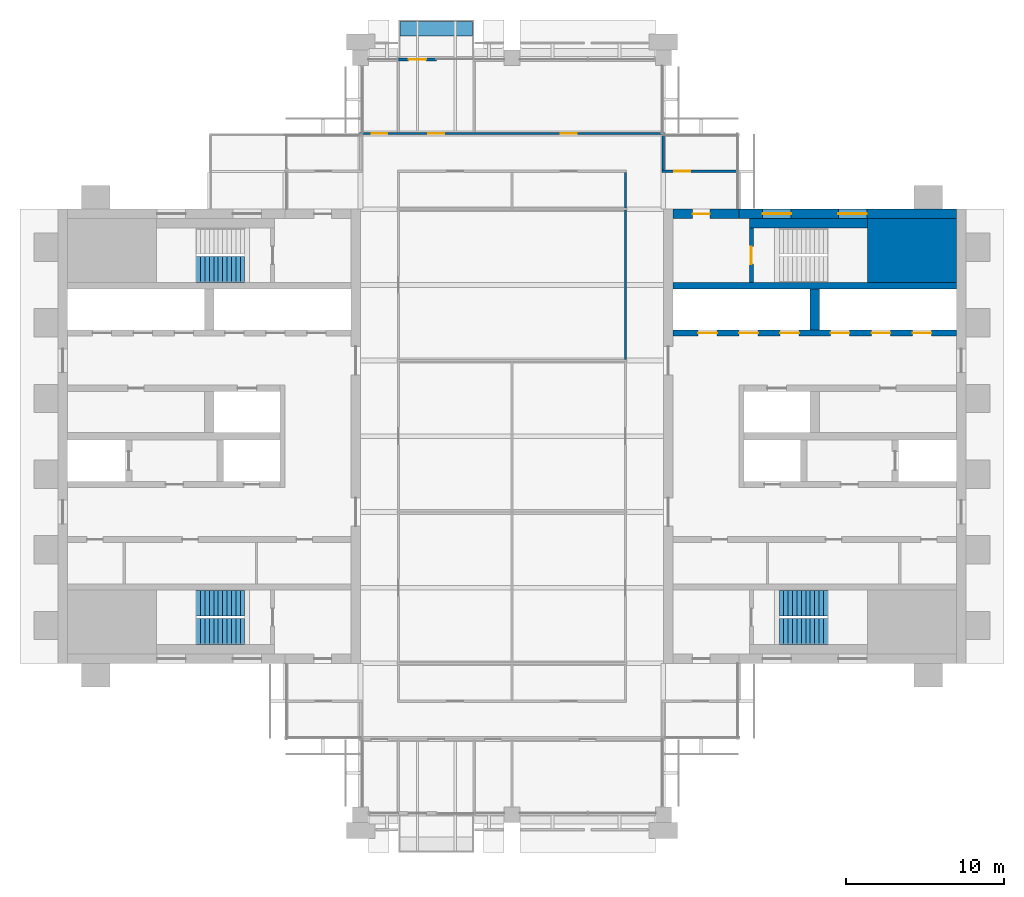
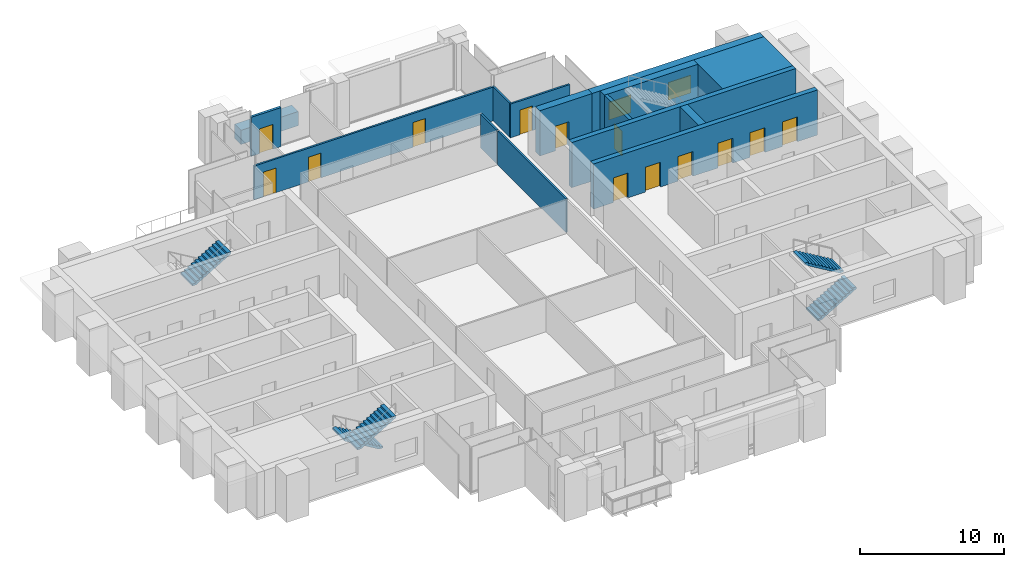
# One storey, part 11 of 14: 15 walls, 13 doors, 5 stair flights, 2 windows, 15 openings, 3 elements without a shape of their own.
"""IFC4 building model written with IfcOpenShell, lengths in metres."""

from ifc_helpers import new_model, si_unit, direction, frame, frame_2d, origin, place, context, subcontext, project, spatial, polyline, rectangle, outline, extrude, material, layer, layer_set, type_object, element, fill, aggregate, save


model = new_model("IFC4")

# Units and contexts
model_context = context("Model", 3, precision=1e-05, world=origin(), true_north=direction((0.0, 1.0)))
body_context = subcontext(model_context, "Body", "Model", "MODEL_VIEW")
ifc_project = project(units=[si_unit("LENGTHUNIT", "METRE"), si_unit("AREAUNIT", "SQUARE_METRE"), si_unit("VOLUMEUNIT", "CUBIC_METRE"), si_unit("PLANEANGLEUNIT", "RADIAN"), si_unit("MASSUNIT", "GRAM", prefix="KILO")], contexts=[model_context])

# Site, building, storey
site_placement = place(None, origin())
site = spatial("IfcSite", under=ifc_project, at=site_placement, CompositionType="ELEMENT")
building_placement = place(site_placement, origin())
building = spatial("IfcBuilding", under=site, at=building_placement, Name="Baori Bourse Tower", CompositionType="ELEMENT")
storey_placement = place(building_placement, frame((0.0, 0.0, 290.300048828125)))
storey = spatial("IfcBuildingStorey", under=building, at=storey_placement, Name="L63", CompositionType="ELEMENT", Elevation=290.300048828125)

# Wall
ifc_material_1 = material(Name="Concrete f'c 40 MPa", Category="concrete")
wall_type_1 = type_object("IfcWallType", Name="Core corner block f'c 40", PredefinedType="SHEAR", material=ifc_material_1)
wall_1_placement = place(storey_placement, frame((51.35009765625, 35.77490234375, 0.0), z_axis=(0.0, 0.0, 1.0), x_axis=(1.0, 0.0, 0.0)))
element("IfcWall", 1, at=wall_1_placement, inside=storey, type_object=wall_type_1, Name="Core wall E22", PredefinedType="SHEAR", context=body_context, shape_type="SweptSolid", body=[
    extrude(rectangle(XDim=5.64990234375, YDim=4.050048828125, at=frame_2d((2.824951171875, 0.0))), origin(), (0.0, 0.0, 1.0), 3.83984375),
])

# Wall, openings, windows
ifc_material_2 = material(Name="Concrete f'c 40 MPa", Category="concrete")
ifc_layer_1 = layer(ifc_material_2, 0.60009765625)
ifc_layer_set_1 = layer_set([ifc_layer_1], Name="Core wall 600 f'c 40")
wall_type_2 = type_object("IfcWallType", Name="Core wall 600 f'c 40", PredefinedType="SHEAR", material=ifc_layer_set_1)
wall_2_placement = place(storey_placement, frame((43.199951171875, 38.10009765625, 0.0), z_axis=(0.0, 0.0, 1.0), x_axis=(1.0, 0.0, 0.0)))
wall_2 = element("IfcWall", 2, at=wall_2_placement, inside=storey, type_object=wall_type_2, Name="Core wall E25", PredefinedType="SHEAR", context=body_context, shape_type="SweptSolid", body=[
    extrude(rectangle(XDim=13.800048828125, YDim=0.60009765625, at=frame_2d((6.89990234375, 0.0))), origin(), (0.0, 0.0, 1.0), 3.83984375),
])
opening_1_placement = place(wall_2_placement, frame((6.300048828125, 0.0, 0.89990234375)))
opening_1 = element("IfcOpeningElement", 3, at=opening_1_placement, cuts=wall_2, Name="Opening L63-KW205", PredefinedType="OPENING", context=body_context, shape_type="SweptSolid", body=[
    extrude(rectangle(XDim=1.800048828125, YDim=1.5, at=frame_2d((0.89990234375, 0.75))), frame((0.0, 0.31005859375, 0.0), z_axis=(0.0, -1.0, 0.0), x_axis=(1.0, 0.0, 0.0)), (0.0, 0.0, 1.0), 0.6201171875),
])
opening_2_placement = place(wall_2_placement, frame((1.5, 0.0, 0.89990234375)))
opening_2 = element("IfcOpeningElement", 4, at=opening_2_placement, cuts=wall_2, Name="Opening L63-KW206", PredefinedType="OPENING", context=body_context, shape_type="SweptSolid", body=[
    extrude(rectangle(XDim=1.800048828125, YDim=1.5, at=frame_2d((0.89990234375, 0.75))), frame((0.0, 0.31005859375, 0.0), z_axis=(0.0, -1.0, 0.0), x_axis=(1.0, 0.0, 0.0)), (0.0, 0.0, 1.0), 0.6201171875),
])
ifc_material_3 = material(Name="Pale anodised aluminium", Category="aluminium")
window_type = type_object("IfcWindowType", Name="Stair window 1800 x 1500", PartitioningType="SINGLE_PANEL", PredefinedType="WINDOW", material=ifc_material_3)
window_1_placement = place(opening_1_placement, origin())
window_1 = element("IfcWindow", 5, at=window_1_placement, inside=storey, type_object=window_type, Name="Stair window E L63 5", OverallHeight=1.5, OverallWidth=1.800048828125, PartitioningType="SINGLE_PANEL", PredefinedType="WINDOW", context=body_context, shape_type="SweptSolid", body=[
    extrude(rectangle(XDim=1.800048828125, YDim=1.5, at=frame_2d((0.89990234375, 0.75))), frame((0.0, 0.030029296875, 0.0), z_axis=(0.0, -1.0, 0.0), x_axis=(1.0, 0.0, 0.0)), (0.0, 0.0, 1.0), 0.06005859375),
])
fill(opening_1, window_1)
window_2_placement = place(opening_2_placement, origin())
window_2 = element("IfcWindow", 6, at=window_2_placement, inside=storey, type_object=window_type, Name="Stair window E L63 6", OverallHeight=1.5, OverallWidth=1.800048828125, PartitioningType="SINGLE_PANEL", PredefinedType="WINDOW", context=body_context, shape_type="SweptSolid", body=[
    extrude(rectangle(XDim=1.800048828125, YDim=1.5, at=frame_2d((0.89990234375, 0.75))), frame((0.0, 0.030029296875, 0.0), z_axis=(0.0, -1.0, 0.0), x_axis=(1.0, 0.0, 0.0)), (0.0, 0.0, 1.0), 0.06005859375),
])
fill(opening_2, window_2)

# Wall, opening, door
wall_3_placement = place(storey_placement, frame((39.0, 38.10009765625, 0.0), z_axis=(0.0, 0.0, 1.0), x_axis=(1.0, 0.0, 0.0)))
wall_3 = element("IfcWall", 7, at=wall_3_placement, inside=storey, type_object=wall_type_2, Name="Core wall E26", PredefinedType="SHEAR", context=body_context, shape_type="SweptSolid", body=[
    extrude(rectangle(XDim=4.199951171875, YDim=0.60009765625, at=frame_2d((2.10009765625, 0.0))), origin(), (0.0, 0.0, 1.0), 3.83984375),
])
opening_3_placement = place(wall_3_placement, frame((1.25, 0.0, 0.0)))
opening_3 = element("IfcOpeningElement", 8, at=opening_3_placement, cuts=wall_3, Name="Opening L63-D204", PredefinedType="OPENING", context=body_context, shape_type="SweptSolid", body=[
    extrude(rectangle(XDim=1.10009765625, YDim=2.10009765625, at=frame_2d((0.550048828125, 1.050048828125))), frame((0.0, 0.31005859375, 0.0), z_axis=(0.0, -1.0, 0.0), x_axis=(1.0, 0.0, 0.0)), (0.0, 0.0, 1.0), 0.6201171875),
])
ifc_material_4 = material(Name="Painted steel door", Category="steel")
door_type_1 = type_object("IfcDoorType", Name="Stair door 1100", OperationType="SINGLE_SWING_LEFT", PredefinedType="DOOR", material=ifc_material_4)
door_1_placement = place(opening_3_placement, origin())
door_1 = element("IfcDoor", 9, at=door_1_placement, inside=storey, type_object=door_type_1, Name="Stair vestibule door B E L63", OperationType="SINGLE_SWING_LEFT", OverallHeight=2.10009765625, OverallWidth=1.10009765625, PredefinedType="DOOR", context=body_context, shape_type="SweptSolid", body=[
    extrude(rectangle(XDim=1.10009765625, YDim=2.10009765625, at=frame_2d((0.550048828125, 1.050048828125))), frame((0.0, 0.02490234375, 0.0), z_axis=(0.0, -1.0, 0.0), x_axis=(1.0, 0.0, 0.0)), (0.0, 0.0, 1.0), 0.050048828125),
])
fill(opening_3, door_1)

ifc_material_5 = material(Name="Gypsum board partition")
ifc_layer_2 = layer(ifc_material_5, 0.14990234375)
ifc_layer_set_2 = layer_set([ifc_layer_2], Name="Corridor partition 150")
wall_type_3 = type_object("IfcWallType", Name="Corridor partition 150", PredefinedType="PARTITIONING", material=ifc_layer_set_2)
wall_4_placement = place(storey_placement, frame((38.324951171875, 40.800048828125, 0.0), z_axis=(0.0, 0.0, 1.0), x_axis=(1.0, 0.0, 0.0)))
wall_4 = element("IfcWall", 10, at=wall_4_placement, inside=storey, type_object=wall_type_3, Name="Partition", PredefinedType="PARTITIONING", context=body_context, shape_type="SweptSolid", body=[
    extrude(rectangle(XDim=4.775146484375, YDim=0.14990234375, at=frame_2d((2.3876953125, 0.0))), origin(), (0.0, 0.0, 1.0), 2.86962890625),
])
opening_4_placement = place(wall_4_placement, frame((0.77490234375, 0.0, 0.0)))
opening_4 = element("IfcOpeningElement", 11, at=opening_4_placement, cuts=wall_4, Name="Opening L63-D12", PredefinedType="OPENING", context=body_context, shape_type="SweptSolid", body=[
    extrude(rectangle(XDim=1.0, YDim=2.10009765625, at=frame_2d((0.5, 1.050048828125))), frame((0.0, 0.0849609375, 0.0), z_axis=(0.0, -1.0, 0.0), x_axis=(1.0, 0.0, 0.0)), (0.0, 0.0, 1.0), 0.169921875),
])
ifc_material_6 = material(Name="Timber door leaf", Category="wood")
door_type_2 = type_object("IfcDoorType", Name="Door 1000 x 2100", OperationType="SINGLE_SWING_LEFT", PredefinedType="DOOR", material=ifc_material_6)
door_2_placement = place(opening_4_placement, origin())
door_2 = element("IfcDoor", 12, at=door_2_placement, inside=storey, type_object=door_type_2, Name="Door", OperationType="SINGLE_SWING_RIGHT", OverallHeight=2.10009765625, OverallWidth=1.0, PredefinedType="DOOR", context=body_context, shape_type="SweptSolid", body=[
    extrude(rectangle(XDim=1.0, YDim=2.10009765625, at=frame_2d((0.5, 1.050048828125))), frame((0.0, 0.02490234375, 0.0), z_axis=(0.0, -1.0, 0.0), x_axis=(1.0, 0.0, 0.0)), (0.0, 0.0, 1.0), 0.050048828125),
])
fill(opening_4, door_2)

# Wall, openings, doors
wall_5_placement = place(storey_placement, frame((19.125, 43.199951171875, 0.0), z_axis=(0.0, 0.0, 1.0), x_axis=(1.0, 0.0, 0.0)))
wall_5 = element("IfcWall", 13, at=wall_5_placement, inside=storey, type_object=wall_type_3, Name="Partition", PredefinedType="PARTITIONING", context=body_context, shape_type="SweptSolid", body=[
    extrude(rectangle(XDim=19.35009765625, YDim=0.14990234375, at=frame_2d((9.675048828125, 0.0))), origin(), (0.0, 0.0, 1.0), 2.86962890625),
])
opening_5_placement = place(wall_5_placement, frame((0.77490234375, 0.0, 0.0)))
opening_5 = element("IfcOpeningElement", 14, at=opening_5_placement, cuts=wall_5, Name="Opening L63-D13", PredefinedType="OPENING", context=body_context, shape_type="SweptSolid", body=[
    extrude(rectangle(XDim=1.0, YDim=2.10009765625, at=frame_2d((0.5, 1.050048828125))), frame((0.0, 0.0849609375, 0.0), z_axis=(0.0, -1.0, 0.0), x_axis=(1.0, 0.0, 0.0)), (0.0, 0.0, 1.0), 0.169921875),
])
opening_6_placement = place(wall_5_placement, frame((4.375, 0.0, 0.0)))
opening_6 = element("IfcOpeningElement", 15, at=opening_6_placement, cuts=wall_5, Name="Opening L63-D14", PredefinedType="OPENING", context=body_context, shape_type="SweptSolid", body=[
    extrude(rectangle(XDim=1.0, YDim=2.10009765625, at=frame_2d((0.5, 1.050048828125))), frame((0.0, 0.0849609375, 0.0), z_axis=(0.0, -1.0, 0.0), x_axis=(1.0, 0.0, 0.0)), (0.0, 0.0, 1.0), 0.169921875),
])
opening_7_placement = place(wall_5_placement, frame((12.77490234375, 0.0, 0.0)))
opening_7 = element("IfcOpeningElement", 16, at=opening_7_placement, cuts=wall_5, Name="Opening L63-D15", PredefinedType="OPENING", context=body_context, shape_type="SweptSolid", body=[
    extrude(rectangle(XDim=1.0, YDim=2.10009765625, at=frame_2d((0.5, 1.050048828125))), frame((0.0, 0.0849609375, 0.0), z_axis=(0.0, -1.0, 0.0), x_axis=(1.0, 0.0, 0.0)), (0.0, 0.0, 1.0), 0.169921875),
])
door_3_placement = place(opening_5_placement, origin())
door_3 = element("IfcDoor", 17, at=door_3_placement, inside=storey, type_object=door_type_2, Name="Door", OperationType="SINGLE_SWING_RIGHT", OverallHeight=2.10009765625, OverallWidth=1.0, PredefinedType="DOOR", context=body_context, shape_type="SweptSolid", body=[
    extrude(rectangle(XDim=1.0, YDim=2.10009765625, at=frame_2d((0.5, 1.050048828125))), frame((0.0, 0.02490234375, 0.0), z_axis=(0.0, -1.0, 0.0), x_axis=(1.0, 0.0, 0.0)), (0.0, 0.0, 1.0), 0.050048828125),
])
fill(opening_5, door_3)
door_4_placement = place(opening_6_placement, origin())
door_4 = element("IfcDoor", 18, at=door_4_placement, inside=storey, type_object=door_type_2, Name="Door", OperationType="SINGLE_SWING_RIGHT", OverallHeight=2.10009765625, OverallWidth=1.0, PredefinedType="DOOR", context=body_context, shape_type="SweptSolid", body=[
    extrude(rectangle(XDim=1.0, YDim=2.10009765625, at=frame_2d((0.5, 1.050048828125))), frame((0.0, 0.02490234375, 0.0), z_axis=(0.0, -1.0, 0.0), x_axis=(1.0, 0.0, 0.0)), (0.0, 0.0, 1.0), 0.050048828125),
])
fill(opening_6, door_4)
door_5_placement = place(opening_7_placement, origin())
door_5 = element("IfcDoor", 19, at=door_5_placement, inside=storey, type_object=door_type_2, Name="Door", OperationType="SINGLE_SWING_LEFT", OverallHeight=2.10009765625, OverallWidth=1.0, PredefinedType="DOOR", context=body_context, shape_type="SweptSolid", body=[
    extrude(rectangle(XDim=1.0, YDim=2.10009765625, at=frame_2d((0.5, 1.050048828125))), frame((0.0, 0.02490234375, 0.0), z_axis=(0.0, -1.0, 0.0), x_axis=(1.0, 0.0, 0.0)), (0.0, 0.0, 1.0), 0.050048828125),
])
fill(opening_7, door_5)

# Walls
wall_6_placement = place(storey_placement, frame((36.0, 28.862548828125, 0.0), z_axis=(0.0, 0.0, 1.0), x_axis=(0.0, 1.0, 0.0)))
element("IfcWall", 20, at=wall_6_placement, inside=storey, type_object=wall_type_3, Name="Partition", PredefinedType="PARTITIONING", context=body_context, shape_type="SweptSolid", body=[
    extrude(rectangle(XDim=9.474853515625, YDim=0.14990234375, at=frame_2d((4.7373046875, 0.0))), origin(), (0.0, 0.0, 1.0), 2.86962890625),
])
wall_7_placement = place(storey_placement, frame((36.0, 38.46240234375, 0.0), z_axis=(0.0, 0.0, 1.0), x_axis=(0.0, 1.0, 0.0)))
element("IfcWall", 21, at=wall_7_placement, inside=storey, type_object=wall_type_3, Name="Partition", PredefinedType="PARTITIONING", context=body_context, shape_type="SweptSolid", body=[
    extrude(rectangle(XDim=2.2626953125, YDim=0.14990234375, at=frame_2d((1.13134765625, 0.0))), origin(), (0.0, 0.0, 1.0), 2.86962890625),
])
wall_8_placement = place(storey_placement, frame((38.39990234375, 40.875, 0.0), z_axis=(0.0, 0.0, 1.0), x_axis=(0.0, 1.0, 0.0)))
element("IfcWall", 22, at=wall_8_placement, inside=storey, type_object=wall_type_3, Name="Partition", PredefinedType="PARTITIONING", context=body_context, shape_type="SweptSolid", body=[
    extrude(rectangle(XDim=2.25, YDim=0.14990234375, at=frame_2d((1.125, 0.0))), origin(), (0.0, 0.0, 1.0), 2.86962890625),
])

# Wall, opening, door
ifc_material_7 = material(Name="Pale anodised aluminium", Category="aluminium")
ifc_layer_3 = layer(ifc_material_7, 0.199951171875)
ifc_layer_set_3 = layer_set([ifc_layer_3], Name="EW1 External wall bay")
wall_type_4 = type_object("IfcWallType", Name="EW1 External wall bay", PredefinedType="SOLIDWALL", material=ifc_layer_set_3)
wall_9_placement = place(storey_placement, frame((24.0, 47.89990234375, 0.0), z_axis=(0.0, 0.0, 1.0), x_axis=(-1.0, 0.0, 0.0)))
wall_9 = element("IfcWall", 23, at=wall_9_placement, inside=storey, type_object=wall_type_4, Name="External wall bay L63 1", PredefinedType="SOLIDWALL", context=body_context, shape_type="SweptSolid", body=[
    extrude(rectangle(XDim=2.39990234375, YDim=0.199951171875, at=frame_2d((1.199951171875, 0.0))), origin(), (0.0, 0.0, 1.0), 3.314208984375),
])
opening_8_placement = place(wall_9_placement, frame((0.64990234375, 0.0, 0.0)))
opening_8 = element("IfcOpeningElement", 24, at=opening_8_placement, cuts=wall_9, Name="Opening L63-D91", PredefinedType="OPENING", context=body_context, shape_type="SweptSolid", body=[
    extrude(rectangle(XDim=1.10009765625, YDim=2.10009765625, at=frame_2d((0.550048828125, 1.050048828125))), frame((0.0, 0.10986328125, 0.0), z_axis=(0.0, -1.0, 0.0), x_axis=(1.0, 0.0, 0.0)), (0.0, 0.0, 1.0), 0.219970703125),
])
ifc_material_8 = material(Name="Pale anodised aluminium", Category="aluminium")
door_type_3 = type_object("IfcDoorType", Name="BL1 Balcony door", OperationType="SINGLE_SWING_LEFT", PredefinedType="DOOR", material=ifc_material_8)
door_6_placement = place(opening_8_placement, origin())
door_6 = element("IfcDoor", 25, at=door_6_placement, inside=storey, type_object=door_type_3, Name="Balcony door L63 1", OperationType="SINGLE_SWING_LEFT", OverallHeight=2.10009765625, OverallWidth=1.10009765625, PredefinedType="DOOR", context=body_context, shape_type="SweptSolid", body=[
    extrude(rectangle(XDim=1.10009765625, YDim=2.10009765625, at=frame_2d((0.550048828125, 1.050048828125))), frame((0.0, 0.02490234375, 0.0), z_axis=(0.0, -1.0, 0.0), x_axis=(1.0, 0.0, 0.0)), (0.0, 0.0, 1.0), 0.050048828125),
])
fill(opening_8, door_6)

# Wall
ifc_material_9 = material(Name="Concrete f'c 40 MPa", Category="concrete")
ifc_layer_4 = layer(ifc_material_9, 0.89990234375)
ifc_layer_set_4 = layer_set([ifc_layer_4], Name="PW1 Planter wall")
wall_type_5 = type_object("IfcWallType", Name="PW1 Planter wall", PredefinedType="USERDEFINED", material=ifc_layer_set_4)
wall_10_placement = place(storey_placement, frame((21.699951171875, 49.85009765625, 0.0), z_axis=(0.0, 0.0, 1.0), x_axis=(1.0, 0.0, 0.0)))
element("IfcWall", 26, at=wall_10_placement, inside=storey, type_object=wall_type_5, Name="Planter balcony N L63 2", ObjectType="PLANTER", PredefinedType="USERDEFINED", context=body_context, shape_type="SweptSolid", body=[
    extrude(rectangle(XDim=4.60009765625, YDim=0.89990234375, at=frame_2d((2.300048828125, 0.0))), origin(), (0.0, 0.0, 1.0), 1.199951171875),
])

# Wall, opening, door
ifc_material_10 = material(Name="Concrete f'c 40 MPa", Category="concrete")
ifc_layer_5 = layer(ifc_material_10, 0.25)
ifc_layer_set_5 = layer_set([ifc_layer_5], Name="Shaft wall 250 f'c 40")
wall_type_6 = type_object("IfcWallType", Name="Shaft wall 250 f'c 40", PredefinedType="SHEAR", material=ifc_layer_set_5)
wall_11_placement = place(storey_placement, frame((43.97509765625, 33.75, 0.0), z_axis=(0.0, 0.0, 1.0), x_axis=(0.0, 1.0, 0.0)))
wall_11 = element("IfcWall", 27, at=wall_11_placement, inside=storey, type_object=wall_type_6, Name="Core wall E23", PredefinedType="SHEAR", context=body_context, shape_type="SweptSolid", body=[
    extrude(rectangle(XDim=3.449951171875, YDim=0.25, at=frame_2d((1.72509765625, 0.0))), origin(), (0.0, 0.0, 1.0), 3.83984375),
])
opening_9_placement = place(wall_11_placement, frame((1.175048828125, 0.0, 0.0)))
opening_9 = element("IfcOpeningElement", 28, at=opening_9_placement, cuts=wall_11, Name="Opening L63-D203", PredefinedType="OPENING", context=body_context, shape_type="SweptSolid", body=[
    extrude(rectangle(XDim=1.10009765625, YDim=2.10009765625, at=frame_2d((0.550048828125, 1.050048828125))), frame((0.0, 0.135009765625, 0.0), z_axis=(0.0, -1.0, 0.0), x_axis=(1.0, 0.0, 0.0)), (0.0, 0.0, 1.0), 0.27001953125),
])
door_7_placement = place(opening_9_placement, origin())
door_7 = element("IfcDoor", 29, at=door_7_placement, inside=storey, type_object=door_type_1, Name="Stair door B E L63", OperationType="SINGLE_SWING_LEFT", OverallHeight=2.10009765625, OverallWidth=1.10009765625, PredefinedType="DOOR", context=body_context, shape_type="SweptSolid", body=[
    extrude(rectangle(XDim=1.10009765625, YDim=2.10009765625, at=frame_2d((0.550048828125, 1.050048828125))), frame((0.0, 0.02490234375, 0.0), z_axis=(0.0, -1.0, 0.0), x_axis=(1.0, 0.0, 0.0)), (0.0, 0.0, 1.0), 0.050048828125),
])
fill(opening_9, door_7)

# Wall, openings, doors
ifc_material_11 = material(Name="Concrete f'c 40 MPa", Category="concrete")
ifc_layer_6 = layer(ifc_material_11, 0.39990234375)
ifc_layer_set_6 = layer_set([ifc_layer_6], Name="Shaft wall 400 f'c 40")
wall_type_7 = type_object("IfcWallType", Name="Shaft wall 400 f'c 40", PredefinedType="SHEAR", material=ifc_layer_set_6)
wall_12_placement = place(storey_placement, frame((39.0, 30.550048828125, 0.0), z_axis=(0.0, 0.0, 1.0), x_axis=(1.0, 0.0, 0.0)))
wall_12 = element("IfcWall", 30, at=wall_12_placement, inside=storey, type_object=wall_type_7, Name="Core wall E19", PredefinedType="SHEAR", context=body_context, shape_type="SweptSolid", body=[
    extrude(rectangle(XDim=18.0, YDim=0.39990234375, at=frame_2d((9.0, 0.0))), origin(), (0.0, 0.0, 1.0), 3.83984375),
])
opening_10_placement = place(wall_12_placement, frame((15.199951171875, 0.0, 0.0)))
opening_10 = element("IfcOpeningElement", 31, at=opening_10_placement, cuts=wall_12, Name="Opening L63-D213", PredefinedType="OPENING", context=body_context, shape_type="SweptSolid", body=[
    extrude(rectangle(XDim=1.199951171875, YDim=2.10009765625, at=frame_2d((0.60009765625, 1.050048828125))), frame((0.0, 0.2099609375, 0.0), z_axis=(0.0, -1.0, 0.0), x_axis=(1.0, 0.0, 0.0)), (0.0, 0.0, 1.0), 0.419921875),
])
opening_11_placement = place(wall_12_placement, frame((12.60009765625, 0.0, 0.0)))
opening_11 = element("IfcOpeningElement", 32, at=opening_11_placement, cuts=wall_12, Name="Opening L63-D214", PredefinedType="OPENING", context=body_context, shape_type="SweptSolid", body=[
    extrude(rectangle(XDim=1.199951171875, YDim=2.10009765625, at=frame_2d((0.60009765625, 1.050048828125))), frame((0.0, 0.2099609375, 0.0), z_axis=(0.0, -1.0, 0.0), x_axis=(1.0, 0.0, 0.0)), (0.0, 0.0, 1.0), 0.419921875),
])
opening_12_placement = place(wall_12_placement, frame((10.0, 0.0, 0.0)))
opening_12 = element("IfcOpeningElement", 33, at=opening_12_placement, cuts=wall_12, Name="Opening L63-D215", PredefinedType="OPENING", context=body_context, shape_type="SweptSolid", body=[
    extrude(rectangle(XDim=1.199951171875, YDim=2.10009765625, at=frame_2d((0.60009765625, 1.050048828125))), frame((0.0, 0.2099609375, 0.0), z_axis=(0.0, -1.0, 0.0), x_axis=(1.0, 0.0, 0.0)), (0.0, 0.0, 1.0), 0.419921875),
])
opening_13_placement = place(wall_12_placement, frame((6.800048828125, 0.0, 0.0)))
opening_13 = element("IfcOpeningElement", 34, at=opening_13_placement, cuts=wall_12, Name="Opening L63-D216", PredefinedType="OPENING", context=body_context, shape_type="SweptSolid", body=[
    extrude(rectangle(XDim=1.199951171875, YDim=2.10009765625, at=frame_2d((0.60009765625, 1.050048828125))), frame((0.0, 0.2099609375, 0.0), z_axis=(0.0, -1.0, 0.0), x_axis=(1.0, 0.0, 0.0)), (0.0, 0.0, 1.0), 0.419921875),
])
opening_14_placement = place(wall_12_placement, frame((4.199951171875, 0.0, 0.0)))
opening_14 = element("IfcOpeningElement", 35, at=opening_14_placement, cuts=wall_12, Name="Opening L63-D217", PredefinedType="OPENING", context=body_context, shape_type="SweptSolid", body=[
    extrude(rectangle(XDim=1.199951171875, YDim=2.10009765625, at=frame_2d((0.60009765625, 1.050048828125))), frame((0.0, 0.2099609375, 0.0), z_axis=(0.0, -1.0, 0.0), x_axis=(1.0, 0.0, 0.0)), (0.0, 0.0, 1.0), 0.419921875),
])
opening_15_placement = place(wall_12_placement, frame((1.60009765625, 0.0, 0.0)))
opening_15 = element("IfcOpeningElement", 36, at=opening_15_placement, cuts=wall_12, Name="Opening L63-D218", PredefinedType="OPENING", context=body_context, shape_type="SweptSolid", body=[
    extrude(rectangle(XDim=1.199951171875, YDim=2.10009765625, at=frame_2d((0.60009765625, 1.050048828125))), frame((0.0, 0.2099609375, 0.0), z_axis=(0.0, -1.0, 0.0), x_axis=(1.0, 0.0, 0.0)), (0.0, 0.0, 1.0), 0.419921875),
])
ifc_material_12 = material(Name="Stainless steel door", Category="steel")
door_type_4 = type_object("IfcDoorType", Name="Lift landing door", OperationType="DOUBLE_DOOR_SLIDING", PredefinedType="DOOR", material=ifc_material_12)
door_8_placement = place(opening_10_placement, origin())
door_8 = element("IfcDoor", 37, at=door_8_placement, inside=storey, type_object=door_type_4, Name="Lift landing door HR1 E L63", OperationType="DOUBLE_DOOR_SLIDING", OverallHeight=2.10009765625, OverallWidth=1.199951171875, PredefinedType="DOOR", context=body_context, shape_type="SweptSolid", body=[
    extrude(rectangle(XDim=1.199951171875, YDim=2.10009765625, at=frame_2d((0.60009765625, 1.050048828125))), frame((0.0, 0.02490234375, 0.0), z_axis=(0.0, -1.0, 0.0), x_axis=(1.0, 0.0, 0.0)), (0.0, 0.0, 1.0), 0.050048828125),
])
fill(opening_10, door_8)
door_9_placement = place(opening_11_placement, origin())
door_9 = element("IfcDoor", 38, at=door_9_placement, inside=storey, type_object=door_type_4, Name="Lift landing door HR2 E L63", OperationType="DOUBLE_DOOR_SLIDING", OverallHeight=2.10009765625, OverallWidth=1.199951171875, PredefinedType="DOOR", context=body_context, shape_type="SweptSolid", body=[
    extrude(rectangle(XDim=1.199951171875, YDim=2.10009765625, at=frame_2d((0.60009765625, 1.050048828125))), frame((0.0, 0.02490234375, 0.0), z_axis=(0.0, -1.0, 0.0), x_axis=(1.0, 0.0, 0.0)), (0.0, 0.0, 1.0), 0.050048828125),
])
fill(opening_11, door_9)
door_10_placement = place(opening_12_placement, origin())
door_10 = element("IfcDoor", 39, at=door_10_placement, inside=storey, type_object=door_type_4, Name="Lift landing door HR3 E L63", OperationType="DOUBLE_DOOR_SLIDING", OverallHeight=2.10009765625, OverallWidth=1.199951171875, PredefinedType="DOOR", context=body_context, shape_type="SweptSolid", body=[
    extrude(rectangle(XDim=1.199951171875, YDim=2.10009765625, at=frame_2d((0.60009765625, 1.050048828125))), frame((0.0, 0.02490234375, 0.0), z_axis=(0.0, -1.0, 0.0), x_axis=(1.0, 0.0, 0.0)), (0.0, 0.0, 1.0), 0.050048828125),
])
fill(opening_12, door_10)
door_11_placement = place(opening_13_placement, origin())
door_11 = element("IfcDoor", 40, at=door_11_placement, inside=storey, type_object=door_type_4, Name="Lift landing door HR4 E L63", OperationType="DOUBLE_DOOR_SLIDING", OverallHeight=2.10009765625, OverallWidth=1.199951171875, PredefinedType="DOOR", context=body_context, shape_type="SweptSolid", body=[
    extrude(rectangle(XDim=1.199951171875, YDim=2.10009765625, at=frame_2d((0.60009765625, 1.050048828125))), frame((0.0, 0.02490234375, 0.0), z_axis=(0.0, -1.0, 0.0), x_axis=(1.0, 0.0, 0.0)), (0.0, 0.0, 1.0), 0.050048828125),
])
fill(opening_13, door_11)
door_12_placement = place(opening_14_placement, origin())
door_12 = element("IfcDoor", 41, at=door_12_placement, inside=storey, type_object=door_type_4, Name="Lift landing door HR5 E L63", OperationType="DOUBLE_DOOR_SLIDING", OverallHeight=2.10009765625, OverallWidth=1.199951171875, PredefinedType="DOOR", context=body_context, shape_type="SweptSolid", body=[
    extrude(rectangle(XDim=1.199951171875, YDim=2.10009765625, at=frame_2d((0.60009765625, 1.050048828125))), frame((0.0, 0.02490234375, 0.0), z_axis=(0.0, -1.0, 0.0), x_axis=(1.0, 0.0, 0.0)), (0.0, 0.0, 1.0), 0.050048828125),
])
fill(opening_14, door_12)
door_13_placement = place(opening_15_placement, origin())
door_13 = element("IfcDoor", 42, at=door_13_placement, inside=storey, type_object=door_type_4, Name="Lift landing door HR6 E L63", OperationType="DOUBLE_DOOR_SLIDING", OverallHeight=2.10009765625, OverallWidth=1.199951171875, PredefinedType="DOOR", context=body_context, shape_type="SweptSolid", body=[
    extrude(rectangle(XDim=1.199951171875, YDim=2.10009765625, at=frame_2d((0.60009765625, 1.050048828125))), frame((0.0, 0.02490234375, 0.0), z_axis=(0.0, -1.0, 0.0), x_axis=(1.0, 0.0, 0.0)), (0.0, 0.0, 1.0), 0.050048828125),
])
fill(opening_15, door_13)

# Walls
wall_13_placement = place(storey_placement, frame((39.0, 33.550048828125, 0.0), z_axis=(0.0, 0.0, 1.0), x_axis=(1.0, 0.0, 0.0)))
element("IfcWall", 43, at=wall_13_placement, inside=storey, type_object=wall_type_7, Name="Core wall E21", PredefinedType="SHEAR", context=body_context, shape_type="SweptSolid", body=[
    extrude(rectangle(XDim=18.0, YDim=0.39990234375, at=frame_2d((9.0, 0.0))), origin(), (0.0, 0.0, 1.0), 3.83984375),
])
ifc_material_13 = material(Name="Concrete f'c 40 MPa", Category="concrete")
ifc_layer_7 = layer(ifc_material_13, 0.60009765625)
ifc_layer_set_7 = layer_set([ifc_layer_7], Name="Shaft wall 600 f'c 40")
wall_type_8 = type_object("IfcWallType", Name="Shaft wall 600 f'c 40", PredefinedType="SHEAR", material=ifc_layer_set_7)
wall_14_placement = place(storey_placement, frame((48.0, 30.75, 0.0), z_axis=(0.0, 0.0, 1.0), x_axis=(0.0, 1.0, 0.0)))
element("IfcWall", 44, at=wall_14_placement, inside=storey, type_object=wall_type_8, Name="Core wall E20", PredefinedType="SHEAR", context=body_context, shape_type="SweptSolid", body=[
    extrude(rectangle(XDim=2.60009765625, YDim=0.60009765625, at=frame_2d((1.300048828125, 0.0))), origin(), (0.0, 0.0, 1.0), 3.83984375),
])
wall_15_placement = place(storey_placement, frame((43.85009765625, 37.5, 0.0), z_axis=(0.0, 0.0, 1.0), x_axis=(1.0, 0.0, 0.0)))
element("IfcWall", 45, at=wall_15_placement, inside=storey, type_object=wall_type_8, Name="Core wall E24", PredefinedType="SHEAR", context=body_context, shape_type="SweptSolid", body=[
    extrude(rectangle(XDim=7.5, YDim=0.60009765625, at=frame_2d((3.75, 0.0))), origin(), (0.0, 0.0, 1.0), 3.83984375),
])

# Stair, stair flights
ifc_material_14 = material(Name="Concrete f'c 50 MPa", Category="concrete")
stair_type = type_object("IfcStairType", Name="Core stair", PredefinedType="HALF_TURN_STAIR", material=ifc_material_14)
stair_1_placement = place(storey_placement, origin())
stair_1 = element("IfcStair", 46, at=stair_1_placement, inside=storey, type_object=stair_type, Name="L63 Stair WA", PredefinedType="HALF_TURN_STAIR")
ifc_material_15 = material(Name="Concrete f'c 50 MPa", Category="concrete")
stair_flight_type = type_object("IfcStairFlightType", Name="Core stair flight", PredefinedType="STRAIGHT", material=ifc_material_15)
stair_flight_1_placement = place(storey_placement, frame((11.85009765625, 13.425048828125, 0.0), z_axis=(0.0, 0.0, 1.0), x_axis=(-1.0, 0.0, 0.0)))
stair_flight_1 = element("IfcStairFlight", 47, at=stair_flight_1_placement, type_object=stair_flight_type, Name="ST1 flight 1", NumberOfRisers=12, NumberOfTreads=11, PredefinedType="STRAIGHT", RiserHeight=0.166666667, TreadLength=0.28, context=body_context, shape_type="SweptSolid", body=[
    extrude(outline(polyline([(0.0, 0.0), (0.0, 0.166748046875), (0.280029296875, 0.166748046875), (0.280029296875, 0.333251953125), (0.56005859375, 0.333251953125), (0.56005859375, 0.5), (0.840087890625, 0.5), (0.840087890625, 0.666748046875), (1.1201171875, 0.666748046875), (1.1201171875, 0.833251953125), (1.39990234375, 0.833251953125), (1.39990234375, 1.0), (1.679931640625, 1.0), (1.679931640625, 1.166748046875), (1.9599609375, 1.166748046875), (1.9599609375, 1.333251953125), (2.239990234375, 1.333251953125), (2.239990234375, 1.5), (2.52001953125, 1.5), (2.52001953125, 1.666748046875), (2.800048828125, 1.666748046875), (2.800048828125, 1.833251953125), (3.080078125, 1.833251953125), (3.080078125, 2.0), (3.080078125, 1.658935546875), (0.29296875, 0.0), (0.0, 0.0)])), frame((0.0, 0.824951171875, 0.0), z_axis=(0.0, -1.0, 0.0), x_axis=(1.0, 0.0, 0.0)), (0.0, 0.0, 1.0), 1.64990234375),
])
stair_flight_2_placement = place(storey_placement, frame((8.77001953125, 11.625, 2.0), z_axis=(0.0, 0.0, 1.0), x_axis=(1.0, 0.0, 0.0)))
stair_flight_2 = element("IfcStairFlight", 48, at=stair_flight_2_placement, type_object=stair_flight_type, Name="ST1 flight 2", NumberOfRisers=12, NumberOfTreads=11, PredefinedType="STRAIGHT", RiserHeight=0.166666667, TreadLength=0.28, context=body_context, shape_type="SweptSolid", body=[
    extrude(outline(polyline([(0.0, 0.0), (0.0, 0.166748046875), (0.280029296875, 0.166748046875), (0.280029296875, 0.333251953125), (0.56005859375, 0.333251953125), (0.56005859375, 0.5), (0.840087890625, 0.5), (0.840087890625, 0.666748046875), (1.1201171875, 0.666748046875), (1.1201171875, 0.833251953125), (1.39990234375, 0.833251953125), (1.39990234375, 1.0), (1.679931640625, 1.0), (1.679931640625, 1.166748046875), (1.9599609375, 1.166748046875), (1.9599609375, 1.333251953125), (2.239990234375, 1.333251953125), (2.239990234375, 1.5), (2.52001953125, 1.5), (2.52001953125, 1.666748046875), (2.800048828125, 1.666748046875), (2.800048828125, 1.833251953125), (3.080078125, 1.833251953125), (3.080078125, 2.0), (3.080078125, 1.658935546875), (0.29296875, 0.0), (0.0, 0.0)])), frame((0.0, 0.824951171875, 0.0), z_axis=(0.0, -1.0, 0.0), x_axis=(1.0, 0.0, 0.0)), (0.0, 0.0, 1.0), 1.64990234375),
])
aggregate(stair_1, [stair_flight_1, stair_flight_2])

# Stair, stair flight
stair_2_placement = place(storey_placement, origin())
stair_2 = element("IfcStair", 49, at=stair_2_placement, inside=storey, type_object=stair_type, Name="L63 Stair WB", PredefinedType="HALF_TURN_STAIR")
stair_flight_3_placement = place(storey_placement, frame((8.77001953125, 34.574951171875, 2.0), z_axis=(0.0, 0.0, 1.0), x_axis=(1.0, 0.0, 0.0)))
stair_flight_3 = element("IfcStairFlight", 50, at=stair_flight_3_placement, type_object=stair_flight_type, Name="ST2 flight 2", NumberOfRisers=12, NumberOfTreads=11, PredefinedType="STRAIGHT", RiserHeight=0.166666667, TreadLength=0.28, context=body_context, shape_type="SweptSolid", body=[
    extrude(outline(polyline([(0.0, 0.0), (0.0, 0.166748046875), (0.280029296875, 0.166748046875), (0.280029296875, 0.333251953125), (0.56005859375, 0.333251953125), (0.56005859375, 0.5), (0.840087890625, 0.5), (0.840087890625, 0.666748046875), (1.1201171875, 0.666748046875), (1.1201171875, 0.833251953125), (1.39990234375, 0.833251953125), (1.39990234375, 1.0), (1.679931640625, 1.0), (1.679931640625, 1.166748046875), (1.9599609375, 1.166748046875), (1.9599609375, 1.333251953125), (2.239990234375, 1.333251953125), (2.239990234375, 1.5), (2.52001953125, 1.5), (2.52001953125, 1.666748046875), (2.800048828125, 1.666748046875), (2.800048828125, 1.833251953125), (3.080078125, 1.833251953125), (3.080078125, 2.0), (3.080078125, 1.658935546875), (0.29296875, 0.0), (0.0, 0.0)])), frame((0.0, 0.824951171875, 0.0), z_axis=(0.0, -1.0, 0.0), x_axis=(1.0, 0.0, 0.0)), (0.0, 0.0, 1.0), 1.64990234375),
])
aggregate(stair_2, [stair_flight_3])

# Stair, stair flights
stair_3_placement = place(storey_placement, origin())
stair_3 = element("IfcStair", 51, at=stair_3_placement, inside=storey, type_object=stair_type, Name="L63 Stair EA", PredefinedType="HALF_TURN_STAIR")
stair_flight_4_placement = place(storey_placement, frame((45.75, 11.625, 0.0), z_axis=(0.0, 0.0, 1.0), x_axis=(1.0, 0.0, 0.0)))
stair_flight_4 = element("IfcStairFlight", 52, at=stair_flight_4_placement, type_object=stair_flight_type, Name="ST3 flight 1", NumberOfRisers=12, NumberOfTreads=11, PredefinedType="STRAIGHT", RiserHeight=0.166666667, TreadLength=0.28, context=body_context, shape_type="SweptSolid", body=[
    extrude(outline(polyline([(0.0, 0.0), (0.0, 0.166748046875), (0.280029296875, 0.166748046875), (0.280029296875, 0.333251953125), (0.56005859375, 0.333251953125), (0.56005859375, 0.5), (0.840087890625, 0.5), (0.840087890625, 0.666748046875), (1.1201171875, 0.666748046875), (1.1201171875, 0.833251953125), (1.39990234375, 0.833251953125), (1.39990234375, 1.0), (1.679931640625, 1.0), (1.679931640625, 1.166748046875), (1.9599609375, 1.166748046875), (1.9599609375, 1.333251953125), (2.239990234375, 1.333251953125), (2.239990234375, 1.5), (2.52001953125, 1.5), (2.52001953125, 1.666748046875), (2.800048828125, 1.666748046875), (2.800048828125, 1.833251953125), (3.080078125, 1.833251953125), (3.080078125, 2.0), (3.080078125, 1.658935546875), (0.29296875, 0.0), (0.0, 0.0)])), frame((0.0, 0.824951171875, 0.0), z_axis=(0.0, -1.0, 0.0), x_axis=(1.0, 0.0, 0.0)), (0.0, 0.0, 1.0), 1.64990234375),
])
stair_flight_5_placement = place(storey_placement, frame((48.830078125, 13.425048828125, 2.0), z_axis=(0.0, 0.0, 1.0), x_axis=(-1.0, 0.0, 0.0)))
stair_flight_5 = element("IfcStairFlight", 53, at=stair_flight_5_placement, type_object=stair_flight_type, Name="ST3 flight 2", NumberOfRisers=12, NumberOfTreads=11, PredefinedType="STRAIGHT", RiserHeight=0.166666667, TreadLength=0.28, context=body_context, shape_type="SweptSolid", body=[
    extrude(outline(polyline([(0.0, 0.0), (0.0, 0.166748046875), (0.280029296875, 0.166748046875), (0.280029296875, 0.333251953125), (0.56005859375, 0.333251953125), (0.56005859375, 0.5), (0.840087890625, 0.5), (0.840087890625, 0.666748046875), (1.1201171875, 0.666748046875), (1.1201171875, 0.833251953125), (1.39990234375, 0.833251953125), (1.39990234375, 1.0), (1.679931640625, 1.0), (1.679931640625, 1.166748046875), (1.9599609375, 1.166748046875), (1.9599609375, 1.333251953125), (2.239990234375, 1.333251953125), (2.239990234375, 1.5), (2.52001953125, 1.5), (2.52001953125, 1.666748046875), (2.800048828125, 1.666748046875), (2.800048828125, 1.833251953125), (3.080078125, 1.833251953125), (3.080078125, 2.0), (3.080078125, 1.658935546875), (0.29296875, 0.0), (0.0, 0.0)])), frame((0.0, 0.824951171875, 0.0), z_axis=(0.0, -1.0, 0.0), x_axis=(1.0, 0.0, 0.0)), (0.0, 0.0, 1.0), 1.64990234375),
])
aggregate(stair_3, [stair_flight_4, stair_flight_5])

save(model, "model.ifc")
